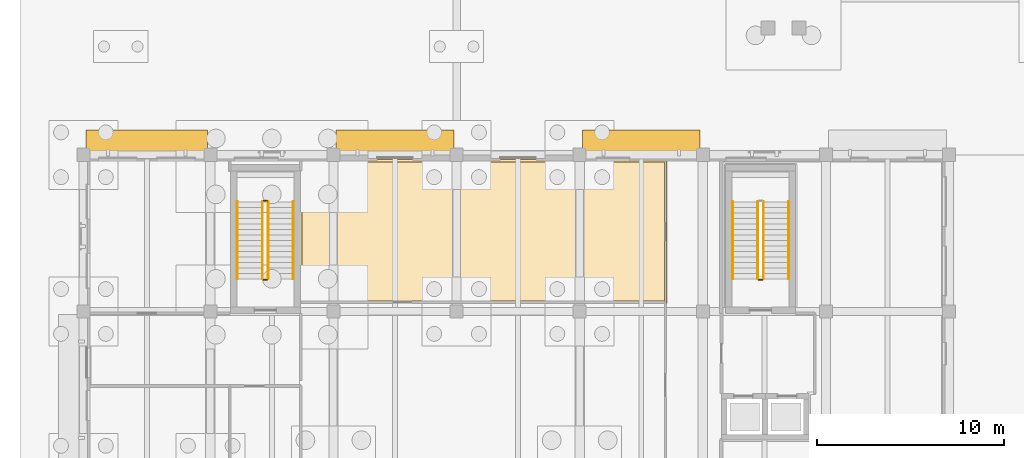
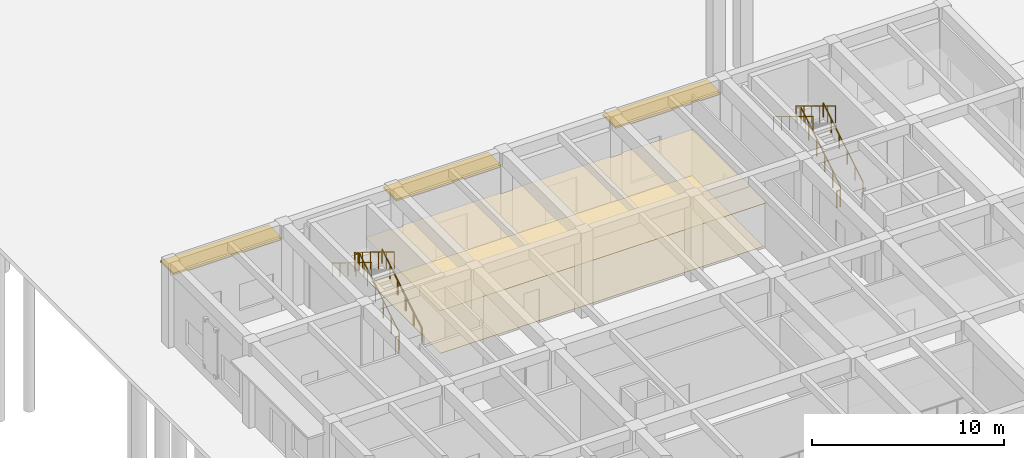
# One storey, part 72 of 82: 11 railings, 3 shading devices, 2 coverings.
"""IFC4 building model written with IfcOpenShell, lengths in metres."""

from ifc_helpers import new_model, si_unit, direction, frame, origin, origin_2d, place, context, subcontext, project, spatial, polyline, rectangle, circle, outline, extrude, material, layer, layer_set, type_object, element, save


model = new_model("IFC4")

# Units and contexts
model_context = context("Model", 3, precision=1e-05, world=origin(), true_north=direction((0.0, 1.0)))
body_context = subcontext(model_context, "Body", "Model", "MODEL_VIEW")
ifc_project = project(units=[si_unit("LENGTHUNIT", "METRE"), si_unit("AREAUNIT", "SQUARE_METRE"), si_unit("VOLUMEUNIT", "CUBIC_METRE"), si_unit("PLANEANGLEUNIT", "RADIAN"), si_unit("MASSUNIT", "GRAM", prefix="KILO")], contexts=[model_context])

# Site, building, storey
site_placement = place(None, origin())
site = spatial("IfcSite", under=ifc_project, at=site_placement, CompositionType="ELEMENT")
building_placement = place(site_placement, origin())
building = spatial("IfcBuilding", under=site, at=building_placement, Name="Kolvaren Faculty of Natural Sciences", CompositionType="ELEMENT")
storey_placement = place(building_placement, origin())
storey = spatial("IfcBuildingStorey", under=building, at=storey_placement, Name="L00", CompositionType="ELEMENT", Elevation=0.0)

# Covering
ifc_material_1 = material(Name="Perforated mineral-fibre acoustic suspended ceiling tile")
ifc_layer_1 = layer(ifc_material_1, 0.02490234375)
ifc_layer_set_1 = layer_set([ifc_layer_1], Name="Perforated mineral-fibre acoustic suspended ceiling tile")
covering_type_1 = type_object("IfcCoveringType", Name="AcousticSuspendedCeiling_25", PredefinedType="CEILING", material=ifc_layer_set_1)
covering_1_placement = place(storey_placement, frame((0.0, 0.0, 2.824951171875)))
element("IfcCovering", 1, at=covering_1_placement, inside=storey, type_object=covering_type_1, Name="L00 L00 Bio-Imaging Darkroom Laboratory acoustic ceiling", PredefinedType="CEILING", context=body_context, shape_type="SweptSolid", body=[
    extrude(outline(polyline([(31.280029296875, 34.219970703125), (11.570068359375, 34.219970703125), (11.570068359375, 41.93994140625), (13.050048828125, 41.93994140625), (13.050048828125, 41.85009765625), (13.75, 41.85009765625), (13.75, 41.93994140625), (19.64990234375, 41.93994140625), (19.64990234375, 41.85009765625), (20.35009765625, 41.85009765625), (20.35009765625, 41.93994140625), (26.25, 41.93994140625), (26.25, 41.85009765625), (26.949951171875, 41.85009765625), (26.949951171875, 41.93994140625), (31.280029296875, 41.93994140625), (31.280029296875, 34.219970703125)])), origin(), (0.0, 0.0, 1.0), 0.025146484375),
])

# Shading devices
ifc_material_2 = material(Name="Precast concrete C35/45", Category="concrete")
ifc_layer_2 = layer(ifc_material_2, 0.1201171875)
ifc_layer_set_2 = layer_set([ifc_layer_2], Name="Precast concrete C35/45")
shading_device_type = type_object("IfcShadingDeviceType", Name="ChhajjaSolarHood_1350", PredefinedType="AWNING", material=ifc_layer_set_2)
shading_device_placement = place(storey_placement, frame((3.39990234375, 42.85498046875, 4.294921875), z_axis=(0.0, 0.0, 1.0), x_axis=(1.0, 0.0, 0.0)))
element("IfcShadingDevice", 2, at=shading_device_placement, inside=storey, type_object=shading_device_type, Name="L00 precast sandstone chhajja solar hood 3", PredefinedType="AWNING", context=body_context, shape_type="SweptSolid", body=[
    extrude(rectangle(XDim=6.5, YDim=1.35009765625, at=origin_2d()), origin(), (0.0, 0.0, 1.0), 0.1201171875),
])
for number, where, z_axis, x_axis, name in (
    (3, (16.699951171875, 42.85498046875, 4.294921875), (0.0, 0.0, 1.0), (1.0, 0.0, 0.0), "L00 precast sandstone chhajja solar hood 4"),
    (4, (29.89990234375, 42.85498046875, 4.294921875), (0.0, 0.0, 1.0), (1.0, 0.0, 0.0), "L00 precast sandstone chhajja solar hood 5"),
):
    element("IfcShadingDevice", number, at=place(storey_placement, frame(where, z_axis=z_axis, x_axis=x_axis)), inside=storey, type_object=shading_device_type, Name=name, PredefinedType="AWNING", context=body_context, shape_type="SweptSolid", body=[
        extrude(rectangle(XDim=6.300048828125, YDim=1.35009765625, at=origin_2d()), origin(), (0.0, 0.0, 1.0), 0.1201171875),
    ])

# Covering
ifc_material_3 = material(Name="Seamless chemical-resistant laboratory epoxy resin flooring")
ifc_layer_3 = layer(ifc_material_3, 0.02001953125)
ifc_layer_set_3 = layer_set([ifc_layer_3], Name="Seamless chemical-resistant laboratory epoxy resin flooring")
covering_type_2 = type_object("IfcCoveringType", Name="LabEpoxyFloorFinish_20", PredefinedType="FLOORING", material=ifc_layer_set_3)
covering_2_placement = place(storey_placement, origin())
element("IfcCovering", 5, at=covering_2_placement, inside=storey, type_object=covering_type_2, Name="L00 L00 Bio-Imaging Darkroom Laboratory floor finish", PredefinedType="FLOORING", context=body_context, shape_type="SweptSolid", body=[
    extrude(outline(polyline([(31.139892578125, 41.800048828125), (31.139892578125, 34.360107421875), (11.7099609375, 34.360107421875), (11.7099609375, 41.800048828125), (31.139892578125, 41.800048828125)])), origin(), (0.0, 0.0, 1.0), 0.02001953125),
])

# Railings
ifc_material_4 = material(Name="Structural steel EN 10210-1 S355J2H", Category="steel")
ifc_layer_4 = layer(ifc_material_4, 0.048095703125)
ifc_layer_set_4 = layer_set([ifc_layer_4], Name="Structural steel EN 10210-1 S355J2H")
railing_type_1 = type_object("IfcRailingType", Name="StairPitchHandrail_920", PredefinedType="HANDRAIL", material=ifc_layer_set_4)
railing_1_placement = place(storey_placement, frame((37.800048828125, 35.550048828125, 0.179931640625)))
element("IfcRailing", 6, at=railing_1_placement, inside=storey, type_object=railing_type_1, Name="L00 ST-4 stair handrail 1", PredefinedType="HANDRAIL", context=body_context, shape_type="SweptSolid", body=[
    extrude(circle(Radius=0.02392578125, at=origin_2d()), frame((0.0, 0.0, 0.8759765625), z_axis=(0.0, 0.853630913754, 0.520878357281), x_axis=(-1.0, 0.0, 0.0)), (0.0, 0.0, 1.0), 4.838134765625),
    extrude(circle(Radius=0.02099609375, at=origin_2d()), origin(), (0.0, 0.0, 1.0), 0.851806640625),
    extrude(circle(Radius=0.02099609375, at=origin_2d()), frame((0.0, 0.825927734375, 0.50390625)), (0.0, 0.0, 1.0), 0.851806640625),
    extrude(circle(Radius=0.02099609375, at=origin_2d()), frame((0.0, 1.65185546875, 1.008056640625)), (0.0, 0.0, 1.0), 0.851806640625),
    extrude(circle(Radius=0.02099609375, at=origin_2d()), frame((0.0, 2.47802734375, 1.511962890625)), (0.0, 0.0, 1.0), 0.851806640625),
    extrude(circle(Radius=0.02099609375, at=origin_2d()), frame((0.0, 3.303955078125, 2.01611328125)), (0.0, 0.0, 1.0), 0.851806640625),
    extrude(circle(Radius=0.02099609375, at=origin_2d()), frame((0.0, 4.1298828125, 2.52001953125)), (0.0, 0.0, 1.0), 0.851806640625),
])
railing_2_placement = place(storey_placement, frame((34.800048828125, 39.679931640625, 2.8798828125)))
element("IfcRailing", 7, at=railing_2_placement, inside=storey, type_object=railing_type_1, Name="L00 ST-4 stair handrail 2", PredefinedType="HANDRAIL", context=body_context, shape_type="SweptSolid", body=[
    extrude(circle(Radius=0.02392578125, at=origin_2d()), frame((0.0, 0.0, 0.8759765625), z_axis=(0.0, -0.853630913754, 0.520878357281), x_axis=(1.0, 0.0, 0.0)), (0.0, 0.0, 1.0), 4.838134765625),
    extrude(circle(Radius=0.02099609375, at=origin_2d()), origin(), (0.0, 0.0, 1.0), 0.851806640625),
    extrude(circle(Radius=0.02099609375, at=origin_2d()), frame((0.0, -0.825927734375, 0.50390625)), (0.0, 0.0, 1.0), 0.851806640625),
    extrude(circle(Radius=0.02099609375, at=origin_2d()), frame((0.0, -1.65185546875, 1.008056640625)), (0.0, 0.0, 1.0), 0.851806640625),
    extrude(circle(Radius=0.02099609375, at=origin_2d()), frame((0.0, -2.47802734375, 1.511962890625)), (0.0, 0.0, 1.0), 0.851806640625),
    extrude(circle(Radius=0.02099609375, at=origin_2d()), frame((0.0, -3.303955078125, 2.01611328125)), (0.0, 0.0, 1.0), 0.851806640625),
    extrude(circle(Radius=0.02099609375, at=origin_2d()), frame((0.0, -4.1298828125, 2.52001953125)), (0.0, 0.0, 1.0), 0.851806640625),
])
railing_3_placement = place(storey_placement, frame((11.25, 35.550048828125, 0.179931640625)))
element("IfcRailing", 8, at=railing_3_placement, inside=storey, type_object=railing_type_1, Name="L00 ST-8 stair handrail 1", PredefinedType="HANDRAIL", context=body_context, shape_type="SweptSolid", body=[
    extrude(circle(Radius=0.02392578125, at=origin_2d()), frame((0.0, 0.0, 0.8759765625), z_axis=(0.0, 0.853630913754, 0.520878357281), x_axis=(-1.0, 0.0, 0.0)), (0.0, 0.0, 1.0), 4.838134765625),
    extrude(circle(Radius=0.02099609375, at=origin_2d()), origin(), (0.0, 0.0, 1.0), 0.851806640625),
    extrude(circle(Radius=0.02099609375, at=origin_2d()), frame((0.0, 0.825927734375, 0.50390625)), (0.0, 0.0, 1.0), 0.851806640625),
    extrude(circle(Radius=0.02099609375, at=origin_2d()), frame((0.0, 1.65185546875, 1.008056640625)), (0.0, 0.0, 1.0), 0.851806640625),
    extrude(circle(Radius=0.02099609375, at=origin_2d()), frame((0.0, 2.47802734375, 1.511962890625)), (0.0, 0.0, 1.0), 0.851806640625),
    extrude(circle(Radius=0.02099609375, at=origin_2d()), frame((0.0, 3.303955078125, 2.01611328125)), (0.0, 0.0, 1.0), 0.851806640625),
    extrude(circle(Radius=0.02099609375, at=origin_2d()), frame((0.0, 4.1298828125, 2.52001953125)), (0.0, 0.0, 1.0), 0.851806640625),
])
railing_4_placement = place(storey_placement, frame((8.25, 39.679931640625, 2.8798828125)))
element("IfcRailing", 9, at=railing_4_placement, inside=storey, type_object=railing_type_1, Name="L00 ST-8 stair handrail 2", PredefinedType="HANDRAIL", context=body_context, shape_type="SweptSolid", body=[
    extrude(circle(Radius=0.02392578125, at=origin_2d()), frame((0.0, 0.0, 0.8759765625), z_axis=(0.0, -0.853630913754, 0.520878357281), x_axis=(1.0, 0.0, 0.0)), (0.0, 0.0, 1.0), 4.838134765625),
    extrude(circle(Radius=0.02099609375, at=origin_2d()), origin(), (0.0, 0.0, 1.0), 0.851806640625),
    extrude(circle(Radius=0.02099609375, at=origin_2d()), frame((0.0, -0.825927734375, 0.50390625)), (0.0, 0.0, 1.0), 0.851806640625),
    extrude(circle(Radius=0.02099609375, at=origin_2d()), frame((0.0, -1.65185546875, 1.008056640625)), (0.0, 0.0, 1.0), 0.851806640625),
    extrude(circle(Radius=0.02099609375, at=origin_2d()), frame((0.0, -2.47802734375, 1.511962890625)), (0.0, 0.0, 1.0), 0.851806640625),
    extrude(circle(Radius=0.02099609375, at=origin_2d()), frame((0.0, -3.303955078125, 2.01611328125)), (0.0, 0.0, 1.0), 0.851806640625),
    extrude(circle(Radius=0.02099609375, at=origin_2d()), frame((0.0, -4.1298828125, 2.52001953125)), (0.0, 0.0, 1.0), 0.851806640625),
])
ifc_layer_5 = layer(ifc_material_4, 0.048095703125)
ifc_layer_set_5 = layer_set([ifc_layer_5], Name="Structural steel EN 10210-1 S355J2H")
railing_type_2 = type_object("IfcRailingType", Name="StairWellGuard_1100", PredefinedType="BALUSTRADE", material=ifc_layer_set_5)
railing_5_placement = place(storey_placement, frame((36.449951171875, 35.550048828125, 0.179931640625)))
element("IfcRailing", 10, at=railing_5_placement, inside=storey, type_object=railing_type_2, Name="L00 ST-4 stair guard 1", PredefinedType="BALUSTRADE", context=body_context, shape_type="SweptSolid", body=[
    extrude(circle(Radius=0.02392578125, at=origin_2d()), frame((0.0, 0.0, 1.076171875), z_axis=(0.0, 0.853630913754, 0.520878357281), x_axis=(-1.0, 0.0, 0.0)), (0.0, 0.0, 1.0), 4.838134765625),
    extrude(circle(Radius=0.02099609375, at=origin_2d()), origin(), (0.0, 0.0, 1.0), 1.052001953125),
    extrude(circle(Radius=0.02099609375, at=origin_2d()), frame((0.0, 0.825927734375, 0.50390625)), (0.0, 0.0, 1.0), 1.052001953125),
    extrude(circle(Radius=0.02099609375, at=origin_2d()), frame((0.0, 1.65185546875, 1.008056640625)), (0.0, 0.0, 1.0), 1.052001953125),
    extrude(circle(Radius=0.02099609375, at=origin_2d()), frame((0.0, 2.47802734375, 1.511962890625)), (0.0, 0.0, 1.0), 1.052001953125),
    extrude(circle(Radius=0.02099609375, at=origin_2d()), frame((0.0, 3.303955078125, 2.01611328125)), (0.0, 0.0, 1.0), 1.052001953125),
    extrude(circle(Radius=0.02099609375, at=origin_2d()), frame((0.0, 4.1298828125, 2.52001953125)), (0.0, 0.0, 1.0), 1.052001953125),
])
railing_6_placement = place(storey_placement, frame((36.14990234375, 39.679931640625, 2.8798828125)))
element("IfcRailing", 11, at=railing_6_placement, inside=storey, type_object=railing_type_2, Name="L00 ST-4 stair guard 3", PredefinedType="BALUSTRADE", context=body_context, shape_type="SweptSolid", body=[
    extrude(circle(Radius=0.02392578125, at=origin_2d()), frame((0.0, 0.0, 1.076171875), z_axis=(0.0, -0.853630913754, 0.520878357281), x_axis=(1.0, 0.0, 0.0)), (0.0, 0.0, 1.0), 4.838134765625),
    extrude(circle(Radius=0.02099609375, at=origin_2d()), origin(), (0.0, 0.0, 1.0), 1.052001953125),
    extrude(circle(Radius=0.02099609375, at=origin_2d()), frame((0.0, -0.825927734375, 0.50390625)), (0.0, 0.0, 1.0), 1.052001953125),
    extrude(circle(Radius=0.02099609375, at=origin_2d()), frame((0.0, -1.65185546875, 1.008056640625)), (0.0, 0.0, 1.0), 1.052001953125),
    extrude(circle(Radius=0.02099609375, at=origin_2d()), frame((0.0, -2.47802734375, 1.511962890625)), (0.0, 0.0, 1.0), 1.052001953125),
    extrude(circle(Radius=0.02099609375, at=origin_2d()), frame((0.0, -3.303955078125, 2.01611328125)), (0.0, 0.0, 1.0), 1.052001953125),
    extrude(circle(Radius=0.02099609375, at=origin_2d()), frame((0.0, -4.1298828125, 2.52001953125)), (0.0, 0.0, 1.0), 1.052001953125),
])
railing_7_placement = place(storey_placement, frame((36.39990234375, 35.5, 0.0)))
element("IfcRailing", 12, at=railing_7_placement, inside=storey, type_object=railing_type_2, Name="L00 ST-4 stair guard 4", PredefinedType="BALUSTRADE", context=body_context, shape_type="SweptSolid", body=[
    extrude(circle(Radius=0.02392578125, at=origin_2d()), frame((0.0, 0.0, 1.076171875), z_axis=(-1.0, 0.0, 0.0), x_axis=(0.0, -1.0, 0.0)), (0.0, 0.0, 1.0), 0.199951171875),
    extrude(circle(Radius=0.02099609375, at=origin_2d()), origin(), (0.0, 0.0, 1.0), 1.052001953125),
    extrude(circle(Radius=0.02099609375, at=origin_2d()), frame((-0.199951171875, 0.0, 0.0)), (0.0, 0.0, 1.0), 1.052001953125),
])
railing_8_placement = place(storey_placement, frame((9.89990234375, 35.550048828125, 0.179931640625)))
element("IfcRailing", 13, at=railing_8_placement, inside=storey, type_object=railing_type_2, Name="L00 ST-8 stair guard 1", PredefinedType="BALUSTRADE", context=body_context, shape_type="SweptSolid", body=[
    extrude(circle(Radius=0.02392578125, at=origin_2d()), frame((0.0, 0.0, 1.076171875), z_axis=(0.0, 0.853630913754, 0.520878357281), x_axis=(-1.0, 0.0, 0.0)), (0.0, 0.0, 1.0), 4.838134765625),
    extrude(circle(Radius=0.02099609375, at=origin_2d()), origin(), (0.0, 0.0, 1.0), 1.052001953125),
    extrude(circle(Radius=0.02099609375, at=origin_2d()), frame((0.0, 0.825927734375, 0.50390625)), (0.0, 0.0, 1.0), 1.052001953125),
    extrude(circle(Radius=0.02099609375, at=origin_2d()), frame((0.0, 1.65185546875, 1.008056640625)), (0.0, 0.0, 1.0), 1.052001953125),
    extrude(circle(Radius=0.02099609375, at=origin_2d()), frame((0.0, 2.47802734375, 1.511962890625)), (0.0, 0.0, 1.0), 1.052001953125),
    extrude(circle(Radius=0.02099609375, at=origin_2d()), frame((0.0, 3.303955078125, 2.01611328125)), (0.0, 0.0, 1.0), 1.052001953125),
    extrude(circle(Radius=0.02099609375, at=origin_2d()), frame((0.0, 4.1298828125, 2.52001953125)), (0.0, 0.0, 1.0), 1.052001953125),
])
railing_9_placement = place(storey_placement, frame((9.85009765625, 39.72998046875, 2.699951171875)))
element("IfcRailing", 14, at=railing_9_placement, inside=storey, type_object=railing_type_2, Name="L00 ST-8 stair guard 2", PredefinedType="BALUSTRADE", context=body_context, shape_type="SweptSolid", body=[
    extrude(circle(Radius=0.02392578125, at=origin_2d()), frame((0.0, 0.0, 1.076171875), z_axis=(-1.0, 0.0, 0.0), x_axis=(0.0, -1.0, 0.0)), (0.0, 0.0, 1.0), 0.2001953125),
    extrude(circle(Radius=0.02099609375, at=origin_2d()), origin(), (0.0, 0.0, 1.0), 1.052001953125),
    extrude(circle(Radius=0.02099609375, at=origin_2d()), frame((-0.2001953125, 0.0, 0.0)), (0.0, 0.0, 1.0), 1.052001953125),
])
railing_10_placement = place(storey_placement, frame((9.60009765625, 39.679931640625, 2.8798828125)))
element("IfcRailing", 15, at=railing_10_placement, inside=storey, type_object=railing_type_2, Name="L00 ST-8 stair guard 3", PredefinedType="BALUSTRADE", context=body_context, shape_type="SweptSolid", body=[
    extrude(circle(Radius=0.02392578125, at=origin_2d()), frame((0.0, 0.0, 1.076171875), z_axis=(0.0, -0.853630913754, 0.520878357281), x_axis=(1.0, 0.0, 0.0)), (0.0, 0.0, 1.0), 4.838134765625),
    extrude(circle(Radius=0.02099609375, at=origin_2d()), origin(), (0.0, 0.0, 1.0), 1.052001953125),
    extrude(circle(Radius=0.02099609375, at=origin_2d()), frame((0.0, -0.825927734375, 0.50390625)), (0.0, 0.0, 1.0), 1.052001953125),
    extrude(circle(Radius=0.02099609375, at=origin_2d()), frame((0.0, -1.65185546875, 1.008056640625)), (0.0, 0.0, 1.0), 1.052001953125),
    extrude(circle(Radius=0.02099609375, at=origin_2d()), frame((0.0, -2.47802734375, 1.511962890625)), (0.0, 0.0, 1.0), 1.052001953125),
    extrude(circle(Radius=0.02099609375, at=origin_2d()), frame((0.0, -3.303955078125, 2.01611328125)), (0.0, 0.0, 1.0), 1.052001953125),
    extrude(circle(Radius=0.02099609375, at=origin_2d()), frame((0.0, -4.1298828125, 2.52001953125)), (0.0, 0.0, 1.0), 1.052001953125),
])
railing_11_placement = place(storey_placement, frame((9.85009765625, 35.5, 0.0)))
element("IfcRailing", 16, at=railing_11_placement, inside=storey, type_object=railing_type_2, Name="L00 ST-8 stair guard 4", PredefinedType="BALUSTRADE", context=body_context, shape_type="SweptSolid", body=[
    extrude(circle(Radius=0.02392578125, at=origin_2d()), frame((0.0, 0.0, 1.076171875), z_axis=(-1.0, 0.0, 0.0), x_axis=(0.0, -1.0, 0.0)), (0.0, 0.0, 1.0), 0.2001953125),
    extrude(circle(Radius=0.02099609375, at=origin_2d()), origin(), (0.0, 0.0, 1.0), 1.052001953125),
    extrude(circle(Radius=0.02099609375, at=origin_2d()), frame((-0.2001953125, 0.0, 0.0)), (0.0, 0.0, 1.0), 1.052001953125),
])

save(model, "model.ifc")
